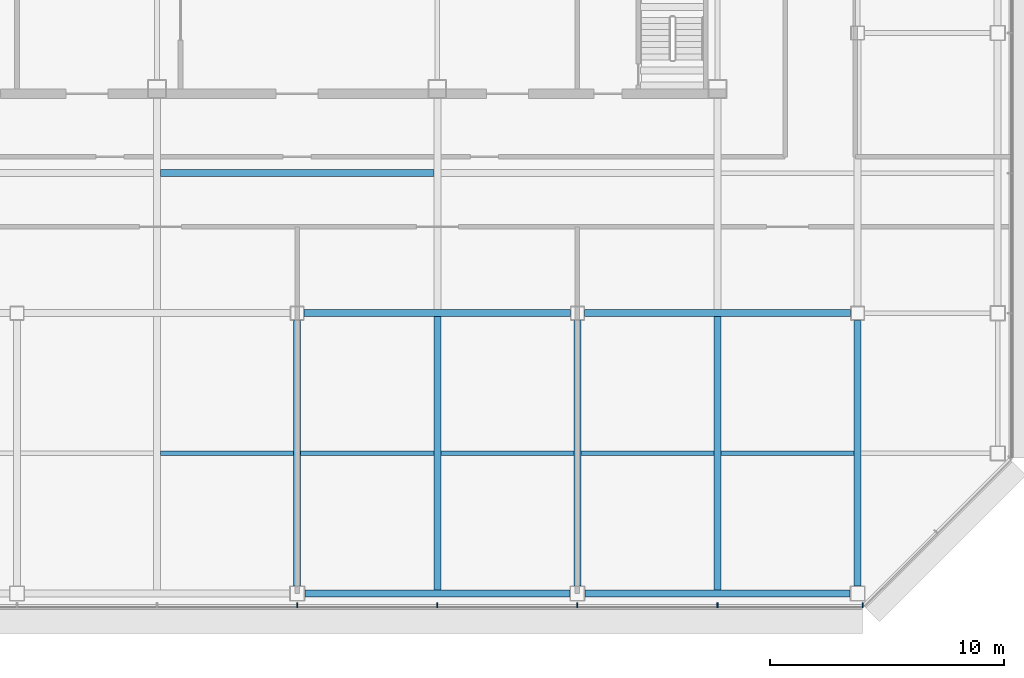
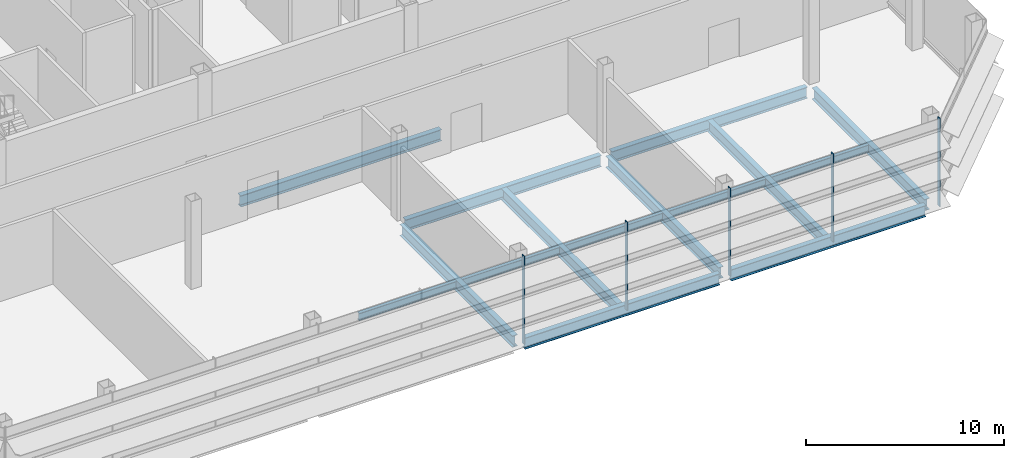
# One storey, part 8 of 25: 15 beams, 5 members, 1 element without a shape of its own.
"""IFC4 building model written with IfcOpenShell, lengths in metres."""

from ifc_helpers import new_model, si_unit, direction, frame, origin, origin_2d, place, context, subcontext, project, spatial, rectangle, i_section, extrude, material, material_profile, profile_set, type_object, element, aggregate, save


model = new_model("IFC4")

# Units and contexts
model_context = context("Model", 3, precision=1e-05, world=origin(), true_north=direction((0.0, 1.0)))
body_context = subcontext(model_context, "Body", "Model", "MODEL_VIEW")
ifc_project = project(units=[si_unit("LENGTHUNIT", "METRE"), si_unit("AREAUNIT", "SQUARE_METRE"), si_unit("VOLUMEUNIT", "CUBIC_METRE"), si_unit("PLANEANGLEUNIT", "RADIAN"), si_unit("MASSUNIT", "GRAM", prefix="KILO")], contexts=[model_context])

# Site, building, storey
site_placement = place(None, origin())
site = spatial("IfcSite", under=ifc_project, at=site_placement, CompositionType="ELEMENT")
building_placement = place(site_placement, origin())
building = spatial("IfcBuilding", under=site, at=building_placement, Name="Sorahane Residences", CompositionType="ELEMENT")
storey_placement = place(building_placement, frame((0.0, 0.0, 210.0)))
storey = spatial("IfcBuildingStorey", under=building, at=storey_placement, Name="L49", CompositionType="ELEMENT", Elevation=210.0)

# Curtain wall, members
ifc_material_1 = material(Name="Dark low-e glass and black anodised aluminium", Category="aluminium")
curtain_wall_type = type_object("IfcCurtainWallType", Name="Curtain wall CW-4 Sky floor frameless wall", PredefinedType="NOTDEFINED", material=ifc_material_1)
curtain_wall_placement = place(storey_placement, origin())
curtain_wall = element("IfcCurtainWall", 1, at=curtain_wall_placement, inside=storey, type_object=curtain_wall_type, Name="CW-4 curtain wall L49 S1", PredefinedType="NOTDEFINED")
ifc_material_2 = material(Name="Black anodised aluminium", Category="aluminium")
ifc_material_profile_1 = material_profile(ifc_material_2, rectangle(XDim=0.219970703125, YDim=0.050048828125, at=origin_2d()), Name="Curtain wall mullion CW-4 black anodised aluminium 50x220")
ifc_profile_set_1 = profile_set([ifc_material_profile_1], Name="Black anodised aluminium")
member_type = type_object("IfcMemberType", Name="Curtain wall mullion CW-4 black anodised aluminium 50x220", PredefinedType="MULLION", material=ifc_profile_set_1)
member_1_placement = place(storey_placement, frame((24.0, -0.510009765625, -0.219970703125), z_axis=(0.0, 0.0, 1.0), x_axis=(0.0, -1.0, 0.0)))
member_1 = element("IfcMember", 2, at=member_1_placement, type_object=member_type, Name="CW-4 mullion L49 S1.6", PredefinedType="MULLION", context=body_context, shape_type="SweptSolid", body=[
    extrude(rectangle(XDim=0.219970703125, YDim=0.050048828125, at=origin_2d()), origin(), (0.0, 0.0, 1.0), 5.43994140625),
])
member_2_placement = place(storey_placement, frame((30.0, -0.510009765625, -0.219970703125), z_axis=(0.0, 0.0, 1.0), x_axis=(0.0, -1.0, 0.0)))
member_2 = element("IfcMember", 3, at=member_2_placement, type_object=member_type, Name="CW-4 mullion L49 S1.7", PredefinedType="MULLION", context=body_context, shape_type="SweptSolid", body=[
    extrude(rectangle(XDim=0.219970703125, YDim=0.050048828125, at=origin_2d()), origin(), (0.0, 0.0, 1.0), 5.43994140625),
])
member_3_placement = place(storey_placement, frame((36.0, -0.510009765625, -0.219970703125), z_axis=(0.0, 0.0, 1.0), x_axis=(0.0, -1.0, 0.0)))
member_3 = element("IfcMember", 4, at=member_3_placement, type_object=member_type, Name="CW-4 mullion L49 S1.8", PredefinedType="MULLION", context=body_context, shape_type="SweptSolid", body=[
    extrude(rectangle(XDim=0.219970703125, YDim=0.050048828125, at=origin_2d()), origin(), (0.0, 0.0, 1.0), 5.43994140625),
])
member_4_placement = place(storey_placement, frame((42.0, -0.510009765625, -0.219970703125), z_axis=(0.0, 0.0, 1.0), x_axis=(0.0, -1.0, 0.0)))
member_4 = element("IfcMember", 5, at=member_4_placement, type_object=member_type, Name="CW-4 mullion L49 S1.9", PredefinedType="MULLION", context=body_context, shape_type="SweptSolid", body=[
    extrude(rectangle(XDim=0.219970703125, YDim=0.050048828125, at=origin_2d()), origin(), (0.0, 0.0, 1.0), 5.43994140625),
])
member_5_placement = place(storey_placement, frame((48.2236328125, -0.510009765625, -0.219970703125), z_axis=(0.0, 0.0, 1.0), x_axis=(0.0, -1.0, 0.0)))
member_5 = element("IfcMember", 6, at=member_5_placement, type_object=member_type, Name="CW-4 mullion L49 S1.10", PredefinedType="MULLION", context=body_context, shape_type="SweptSolid", body=[
    extrude(rectangle(XDim=0.219970703125, YDim=0.050048828125, at=origin_2d()), origin(), (0.0, 0.0, 1.0), 5.43994140625),
])
aggregate(curtain_wall, [member_1, member_2, member_3, member_4, member_5])

# Beams
ifc_material_3 = material(Name="Steel Q355B", Category="steel")
ifc_material_profile_2 = material_profile(ifc_material_3, i_section(OverallWidth=0.199951171875, OverallDepth=0.449951171875, WebThickness=0.009033203125, FlangeThickness=0.013916015625, FilletRadius=0.02001953125, at=origin_2d()), Name="HN 450x200x9x14")
ifc_profile_set_2 = profile_set([ifc_material_profile_2], Name="Steel Q355B")
beam_type_1 = type_object("IfcBeamType", Name="Steel floor beam HN 450x200x9x14 Q355B", PredefinedType="BEAM", material=ifc_profile_set_2)
for number, where, z_axis, x_axis, name in (
    (7, (18.14990234375, 6.0, -0.445068359375), (1.0, 0.0, 0.0), (0.0, 1.0, 0.0), "Beam L49 072"),
    (8, (24.14990234375, 6.0, -0.445068359375), (1.0, 0.0, 0.0), (0.0, 1.0, 0.0), "Beam L49 073"),
    (9, (30.14990234375, 6.0, -0.445068359375), (1.0, 0.0, 0.0), (0.0, 1.0, 0.0), "Beam L49 074"),
    (10, (36.14990234375, 6.0, -0.445068359375), (1.0, 0.0, 0.0), (0.0, 1.0, 0.0), "Beam L49 075"),
    (11, (42.14990234375, 6.0, -0.445068359375), (1.0, 0.0, 0.0), (0.0, 1.0, 0.0), "Beam L49 076"),
):
    element("IfcBeam", number, at=place(storey_placement, frame(where, z_axis=z_axis, x_axis=x_axis)), inside=storey, type_object=beam_type_1, Name=name, PredefinedType="BEAM", context=body_context, shape_type="SweptSolid", body=[
        extrude(i_section(OverallWidth=0.199951171875, OverallDepth=0.449951171875, WebThickness=0.009033203125, FlangeThickness=0.013916015625, FilletRadius=0.02001953125, at=origin_2d()), origin(), (0.0, 0.0, 1.0), 5.7001953125),
    ])
ifc_material_4 = material(Name="Steel Q355B", Category="steel")
ifc_material_profile_3 = material_profile(ifc_material_4, i_section(OverallWidth=0.300048828125, OverallDepth=0.699951171875, WebThickness=0.012939453125, FlangeThickness=0.02392578125, FilletRadius=0.028076171875, at=origin_2d()), Name="HN 700x300x13x24")
ifc_profile_set_3 = profile_set([ifc_material_profile_3], Name="Steel Q355B")
beam_type_2 = type_object("IfcBeamType", Name="Steel floor beam HN 700x300x13x24 Q355B", PredefinedType="BEAM", material=ifc_profile_set_3)
for number, where, z_axis, x_axis, name in (
    (12, (24.324951171875, 0.0, -0.570068359375), (1.0, 0.0, 0.0), (0.0, 1.0, 0.0), "Beam L49 003"),
    (13, (36.324951171875, 0.0, -0.570068359375), (1.0, 0.0, 0.0), (0.0, 1.0, 0.0), "Beam L49 004"),
):
    element("IfcBeam", number, at=place(storey_placement, frame(where, z_axis=z_axis, x_axis=x_axis)), inside=storey, type_object=beam_type_2, Name=name, PredefinedType="BEAM", context=body_context, shape_type="SweptSolid", body=[
        extrude(i_section(OverallWidth=0.300048828125, OverallDepth=0.699951171875, WebThickness=0.012939453125, FlangeThickness=0.02392578125, FilletRadius=0.028076171875, at=origin_2d()), origin(), (0.0, 0.0, 1.0), 11.35009765625),
    ])
for number, where, z_axis, x_axis, name in (
    (14, (24.300048828125, 12.0, -0.570068359375), (1.0, 0.0, 0.0), (0.0, 1.0, 0.0), "Beam L49 008"),
    (15, (36.300048828125, 12.0, -0.570068359375), (1.0, 0.0, 0.0), (0.0, 1.0, 0.0), "Beam L49 009"),
):
    element("IfcBeam", number, at=place(storey_placement, frame(where, z_axis=z_axis, x_axis=x_axis)), inside=storey, type_object=beam_type_2, Name=name, PredefinedType="BEAM", context=body_context, shape_type="SweptSolid", body=[
        extrude(i_section(OverallWidth=0.300048828125, OverallDepth=0.699951171875, WebThickness=0.012939453125, FlangeThickness=0.02392578125, FilletRadius=0.028076171875, at=origin_2d()), origin(), (0.0, 0.0, 1.0), 11.39990234375),
    ])
beam_1_placement = place(storey_placement, frame((24.0, 0.324951171875, -0.570068359375), z_axis=(0.0, 1.0, 0.0), x_axis=(-1.0, 0.0, 0.0)))
element("IfcBeam", 16, at=beam_1_placement, inside=storey, type_object=beam_type_2, Name="Beam L49 042", PredefinedType="BEAM", context=body_context, shape_type="SweptSolid", body=[
    extrude(i_section(OverallWidth=0.300048828125, OverallDepth=0.699951171875, WebThickness=0.012939453125, FlangeThickness=0.02392578125, FilletRadius=0.028076171875, at=origin_2d()), origin(), (0.0, 0.0, 1.0), 11.375),
])
beam_2_placement = place(storey_placement, frame((30.0, 0.14990234375, -0.570068359375), z_axis=(0.0, 1.0, 0.0), x_axis=(-1.0, 0.0, 0.0)))
element("IfcBeam", 17, at=beam_2_placement, inside=storey, type_object=beam_type_2, Name="Beam L49 044", PredefinedType="BEAM", context=body_context, shape_type="SweptSolid", body=[
    extrude(i_section(OverallWidth=0.300048828125, OverallDepth=0.699951171875, WebThickness=0.012939453125, FlangeThickness=0.02392578125, FilletRadius=0.028076171875, at=origin_2d()), origin(), (0.0, 0.0, 1.0), 11.7001953125),
])
beam_3_placement = place(storey_placement, frame((36.0, 0.324951171875, -0.570068359375), z_axis=(0.0, 1.0, 0.0), x_axis=(-1.0, 0.0, 0.0)))
element("IfcBeam", 18, at=beam_3_placement, inside=storey, type_object=beam_type_2, Name="Beam L49 050", PredefinedType="BEAM", context=body_context, shape_type="SweptSolid", body=[
    extrude(i_section(OverallWidth=0.300048828125, OverallDepth=0.699951171875, WebThickness=0.012939453125, FlangeThickness=0.02392578125, FilletRadius=0.028076171875, at=origin_2d()), origin(), (0.0, 0.0, 1.0), 11.375),
])
beam_4_placement = place(storey_placement, frame((42.0, 0.14990234375, -0.570068359375), z_axis=(0.0, 1.0, 0.0), x_axis=(-1.0, 0.0, 0.0)))
element("IfcBeam", 19, at=beam_4_placement, inside=storey, type_object=beam_type_2, Name="Beam L49 052", PredefinedType="BEAM", context=body_context, shape_type="SweptSolid", body=[
    extrude(i_section(OverallWidth=0.300048828125, OverallDepth=0.699951171875, WebThickness=0.012939453125, FlangeThickness=0.02392578125, FilletRadius=0.028076171875, at=origin_2d()), origin(), (0.0, 0.0, 1.0), 11.7001953125),
])
beam_5_placement = place(storey_placement, frame((48.0, 0.324951171875, -0.570068359375), z_axis=(0.0, 1.0, 0.0), x_axis=(-1.0, 0.0, 0.0)))
element("IfcBeam", 20, at=beam_5_placement, inside=storey, type_object=beam_type_2, Name="Beam L49 058", PredefinedType="BEAM", context=body_context, shape_type="SweptSolid", body=[
    extrude(i_section(OverallWidth=0.300048828125, OverallDepth=0.699951171875, WebThickness=0.012939453125, FlangeThickness=0.02392578125, FilletRadius=0.028076171875, at=origin_2d()), origin(), (0.0, 0.0, 1.0), 11.375),
])
beam_6_placement = place(storey_placement, frame((18.14990234375, 18.0, -0.570068359375), z_axis=(1.0, 0.0, 0.0), x_axis=(0.0, 1.0, 0.0)))
element("IfcBeam", 21, at=beam_6_placement, inside=storey, type_object=beam_type_2, Name="Beam L49 081", PredefinedType="BEAM", context=body_context, shape_type="SweptSolid", body=[
    extrude(i_section(OverallWidth=0.300048828125, OverallDepth=0.699951171875, WebThickness=0.012939453125, FlangeThickness=0.02392578125, FilletRadius=0.028076171875, at=origin_2d()), origin(), (0.0, 0.0, 1.0), 11.7001953125),
])

save(model, "model.ifc")
